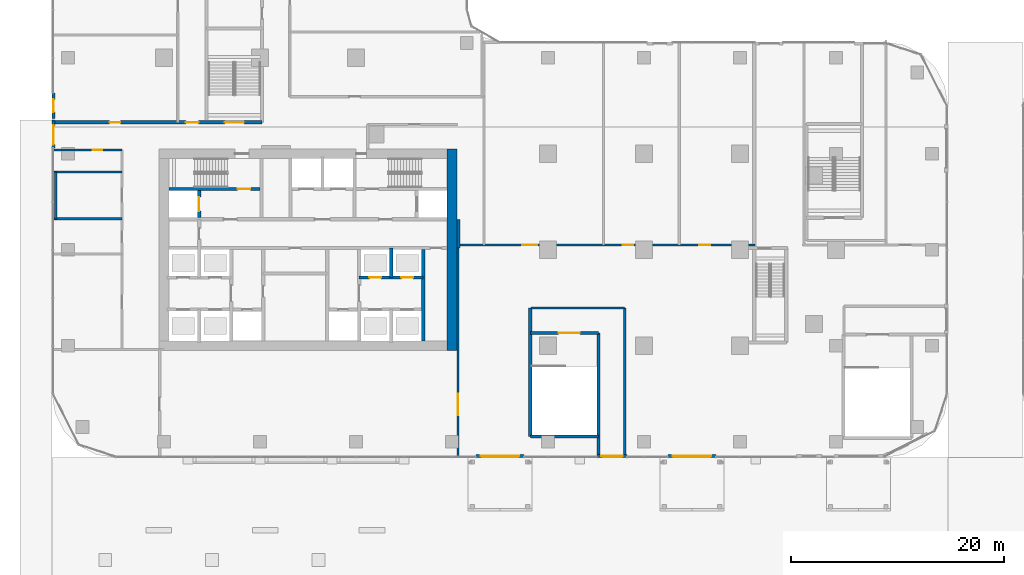
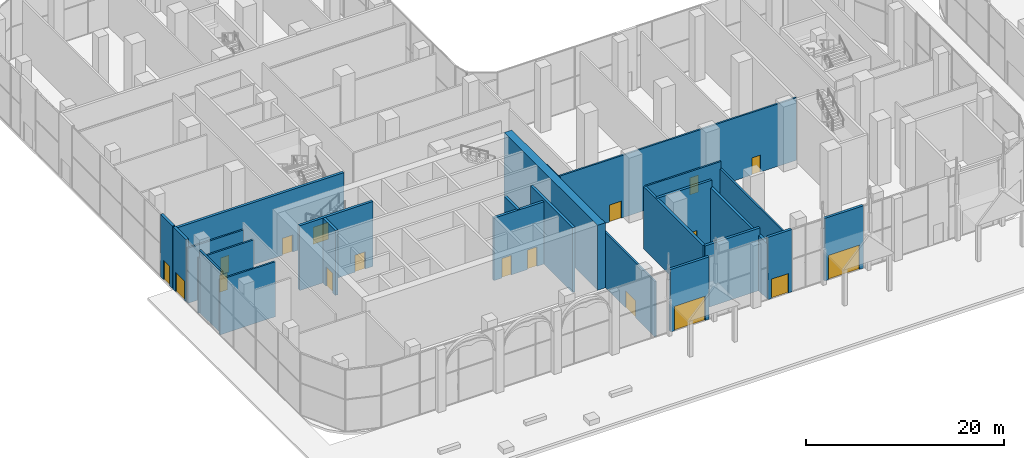
# One storey, part 30 of 54: 25 walls, 18 doors, 18 openings.
"""IFC4 building model written with IfcOpenShell, lengths in metres."""

from ifc_helpers import new_model, si_unit, direction, frame, frame_2d, origin, place, context, subcontext, project, spatial, rectangle, extrude, material, layer, layer_set, type_object, element, fill, save


model = new_model("IFC4")

# Units and contexts
model_context = context("Model", 3, precision=1e-05, world=origin(), true_north=direction((0.0, 1.0)))
body_context = subcontext(model_context, "Body", "Model", "MODEL_VIEW")
ifc_project = project(units=[si_unit("LENGTHUNIT", "METRE"), si_unit("AREAUNIT", "SQUARE_METRE"), si_unit("VOLUMEUNIT", "CUBIC_METRE"), si_unit("PLANEANGLEUNIT", "RADIAN"), si_unit("MASSUNIT", "GRAM", prefix="KILO")], contexts=[model_context])

# Site, building, storey
site_placement = place(None, origin())
site = spatial("IfcSite", under=ifc_project, at=site_placement, CompositionType="ELEMENT")
building_placement = place(site_placement, origin())
building = spatial("IfcBuilding", under=site, at=building_placement, Name="Ogive Portal Towers", CompositionType="ELEMENT")
storey_placement = place(building_placement, origin())
storey = spatial("IfcBuildingStorey", under=building, at=storey_placement, Name="L00", CompositionType="ELEMENT", Elevation=0.0)

# Wall
ifc_material_1 = material(Name="Concrete C60/75", Category="concrete")
ifc_layer_1 = layer(ifc_material_1, 0.300048828125)
ifc_layer_set_1 = layer_set([ifc_layer_1], Name="CORE WALL 300 C60")
wall_type_1 = type_object("IfcWallType", Name="CORE WALL 300 C60", PredefinedType="SHEAR", material=ifc_layer_set_1)
wall_1_placement = place(storey_placement, frame((55.800048828125, 21.949951171875, 0.0), z_axis=(0.0, 0.0, 1.0), x_axis=(0.0, 1.0, 0.0)))
element("IfcWall", 1, at=wall_1_placement, inside=storey, type_object=wall_type_1, Name="Core wall X5 L00", PredefinedType="SHEAR", context=body_context, shape_type="SweptSolid", body=[
    extrude(rectangle(XDim=8.550048828125, YDim=0.300048828125, at=frame_2d((4.27490234375, 0.0))), origin(), (0.0, 0.0, 1.0), 8.0),
])

# Wall, opening, door
wall_2_placement = place(storey_placement, frame((31.949951171875, 36.199951171875, 0.0), z_axis=(0.0, 0.0, 1.0), x_axis=(1.0, 0.0, 0.0)))
wall_2 = element("IfcWall", 2, at=wall_2_placement, inside=storey, type_object=wall_type_1, Name="Core wall Y3a L00", PredefinedType="SHEAR", context=body_context, shape_type="SweptSolid", body=[
    extrude(rectangle(XDim=8.550048828125, YDim=0.300048828125, at=frame_2d((4.27490234375, 0.0))), origin(), (0.0, 0.0, 1.0), 8.0),
])
opening_1_placement = place(wall_2_placement, frame((6.449951171875, 0.0, 0.0)))
opening_1 = element("IfcOpeningElement", 3, at=opening_1_placement, cuts=wall_2, Name="Opening D102-006", PredefinedType="OPENING", context=body_context, shape_type="SweptSolid", body=[
    extrude(rectangle(XDim=1.199951171875, YDim=2.10009765625, at=frame_2d((0.60009765625, 1.050048828125))), frame((0.0, 0.16015625, 0.0), z_axis=(0.0, -1.0, 0.0), x_axis=(1.0, 0.0, 0.0)), (0.0, 0.0, 1.0), 0.320068359375),
])
ifc_material_2 = material(Name="Steel fire door", Category="steel")
door_type_1 = type_object("IfcDoorType", Name="DT-SWING-1200x2100-FD90S", OperationType="SINGLE_SWING_LEFT", PredefinedType="DOOR", material=ifc_material_2)
door_1_placement = place(opening_1_placement, origin())
door_1 = element("IfcDoor", 4, at=door_1_placement, inside=storey, type_object=door_type_1, Name="Door D102-006", OperationType="SINGLE_SWING_RIGHT", OverallHeight=2.10009765625, OverallWidth=1.199951171875, PredefinedType="DOOR", context=body_context, shape_type="SweptSolid", body=[
    extrude(rectangle(XDim=1.199951171875, YDim=2.10009765625, at=frame_2d((0.60009765625, 1.050048828125))), frame((0.0, 0.02490234375, 0.0), z_axis=(0.0, -1.0, 0.0), x_axis=(1.0, 0.0, 0.0)), (0.0, 0.0, 1.0), 0.050048828125),
])
fill(opening_1, door_1)

wall_3_placement = place(storey_placement, frame((34.800048828125, 33.5, 0.0), z_axis=(0.0, 0.0, 1.0), x_axis=(0.0, 1.0, 0.0)))
wall_3 = element("IfcWall", 5, at=wall_3_placement, inside=storey, type_object=wall_type_1, Name="Core wall X8 L00", PredefinedType="SHEAR", context=body_context, shape_type="SweptSolid", body=[
    extrude(rectangle(XDim=2.550048828125, YDim=0.300048828125, at=frame_2d((1.27490234375, 0.0))), origin(), (0.0, 0.0, 1.0), 8.0),
])
opening_2_placement = place(wall_3_placement, frame((0.625, 0.0, 0.0)))
opening_2 = element("IfcOpeningElement", 6, at=opening_2_placement, cuts=wall_3, Name="Opening D102-023", PredefinedType="OPENING", context=body_context, shape_type="SweptSolid", body=[
    extrude(rectangle(XDim=1.300048828125, YDim=2.39990234375, at=frame_2d((0.64990234375, 1.199951171875))), frame((0.0, 0.16015625, 0.0), z_axis=(0.0, -1.0, 0.0), x_axis=(1.0, 0.0, 0.0)), (0.0, 0.0, 1.0), 0.320068359375),
])
ifc_material_3 = material(Name="Stainless steel", Category="steel")
door_type_2 = type_object("IfcDoorType", Name="DT-LD-1300x2400", OperationType="SLIDING_TO_LEFT", PredefinedType="DOOR", material=ifc_material_3)
door_2_placement = place(opening_2_placement, origin())
door_2 = element("IfcDoor", 7, at=door_2_placement, inside=storey, type_object=door_type_2, Name="Door D102-023", OperationType="SLIDING_TO_LEFT", OverallHeight=2.39990234375, OverallWidth=1.300048828125, PredefinedType="DOOR", context=body_context, shape_type="SweptSolid", body=[
    extrude(rectangle(XDim=1.300048828125, YDim=2.39990234375, at=frame_2d((0.64990234375, 1.199951171875))), frame((0.0, 0.02490234375, 0.0), z_axis=(0.0, -1.0, 0.0), x_axis=(1.0, 0.0, 0.0)), (0.0, 0.0, 1.0), 0.050048828125),
])
fill(opening_2, door_2)

# Wall
ifc_layer_2 = layer(ifc_material_1, 0.89990234375)
ifc_layer_set_2 = layer_set([ifc_layer_2], Name="CORE WALL 900 C60")
wall_type_2 = type_object("IfcWallType", Name="CORE WALL 900 C60", PredefinedType="SHEAR", material=ifc_layer_set_2)
wall_4_placement = place(storey_placement, frame((58.5, 21.050048828125, 0.0), z_axis=(0.0, 0.0, 1.0), x_axis=(0.0, 1.0, 0.0)))
element("IfcWall", 8, at=wall_4_placement, inside=storey, type_object=wall_type_2, Name="Core wall E L00", PredefinedType="SHEAR", context=body_context, shape_type="SweptSolid", body=[
    extrude(rectangle(XDim=18.89990234375, YDim=0.89990234375, at=frame_2d((9.449951171875, 0.0))), origin(), (0.0, 0.0, 1.0), 8.0),
])

# Wall, opening, door
ifc_material_4 = material(Name="Limestone cladding on lightweight block wall", Category="masonry")
ifc_layer_3 = layer(ifc_material_4, 0.300048828125)
ifc_layer_set_3 = layer_set([ifc_layer_3], Name="EXTERNAL WALL 300 STONE")
wall_type_3 = type_object("IfcWallType", Name="EXTERNAL WALL 300 STONE", PredefinedType="SOLIDWALL", material=ifc_layer_set_3)
wall_5_placement = place(storey_placement, frame((65.25, 11.14990234375, 0.0), z_axis=(0.0, 0.0, 1.0), x_axis=(-1.0, 0.0, 0.0)))
wall_5 = element("IfcWall", 9, at=wall_5_placement, inside=storey, type_object=wall_type_3, Name="A:L00:f02:bay0", PredefinedType="SOLIDWALL", context=body_context, shape_type="SweptSolid", body=[
    extrude(rectangle(XDim=4.5, YDim=0.300048828125, at=frame_2d((2.25, 0.0))), origin(), (0.0, 0.0, 1.0), 7.699951171875),
])
opening_3_placement = place(wall_5_placement, frame((0.449951171875, 0.0, 0.0)))
opening_3 = element("IfcOpeningElement", 10, at=opening_3_placement, cuts=wall_5, Name="Opening DX001", PredefinedType="OPENING", context=body_context, shape_type="SweptSolid", body=[
    extrude(rectangle(XDim=3.60009765625, YDim=3.0, at=frame_2d((1.800048828125, 1.5))), frame((0.0, 0.16015625, 0.0), z_axis=(0.0, -1.0, 0.0), x_axis=(1.0, 0.0, 0.0)), (0.0, 0.0, 1.0), 0.320068359375),
])
ifc_material_5 = material(Name="Aluminium 6063 anodised", Category="aluminium")
door_type_3 = type_object("IfcDoorType", Name="ENTRANCE DOOR 3600x3000", OperationType="DOUBLE_DOOR_SINGLE_SWING", PredefinedType="DOOR", material=ifc_material_5)
door_3_placement = place(opening_3_placement, origin())
door_3 = element("IfcDoor", 11, at=door_3_placement, inside=storey, type_object=door_type_3, Name="A:L00:f02:bay0/o0", OperationType="SINGLE_SWING_LEFT", OverallHeight=3.0, OverallWidth=3.60009765625, PredefinedType="DOOR", context=body_context, shape_type="SweptSolid", body=[
    extrude(rectangle(XDim=3.60009765625, YDim=3.0, at=frame_2d((1.800048828125, 1.5))), frame((0.0, 0.02490234375, 0.0), z_axis=(0.0, -1.0, 0.0), x_axis=(1.0, 0.0, 0.0)), (0.0, 0.0, 1.0), 0.050048828125),
])
fill(opening_3, door_3)

wall_6_placement = place(storey_placement, frame((74.89990234375, 11.14990234375, 0.0), z_axis=(0.0, 0.0, 1.0), x_axis=(-1.0, 0.0, 0.0)))
wall_6 = element("IfcWall", 12, at=wall_6_placement, inside=storey, type_object=wall_type_3, Name="A:L00:f02:bay1", PredefinedType="SOLIDWALL", context=body_context, shape_type="SweptSolid", body=[
    extrude(rectangle(XDim=2.7998046875, YDim=0.300048828125, at=frame_2d((1.39990234375, 0.0))), origin(), (0.0, 0.0, 1.0), 7.699951171875),
])
opening_4_placement = place(wall_6_placement, frame((0.39990234375, 0.0, 0.0)))
opening_4 = element("IfcOpeningElement", 13, at=opening_4_placement, cuts=wall_6, Name="Opening DX002", PredefinedType="OPENING", context=body_context, shape_type="SweptSolid", body=[
    extrude(rectangle(XDim=2.0, YDim=2.39990234375, at=frame_2d((1.0, 1.199951171875))), frame((0.0, 0.16015625, 0.0), z_axis=(0.0, -1.0, 0.0), x_axis=(1.0, 0.0, 0.0)), (0.0, 0.0, 1.0), 0.320068359375),
])
ifc_material_6 = material(Name="Steel S355", Category="steel")
door_type_4 = type_object("IfcDoorType", Name="EXIT DOOR 2000x2400", OperationType="DOUBLE_DOOR_SINGLE_SWING", PredefinedType="DOOR", material=ifc_material_6)
door_4_placement = place(opening_4_placement, origin())
door_4 = element("IfcDoor", 14, at=door_4_placement, inside=storey, type_object=door_type_4, Name="A:L00:f02:bay1/o0", OperationType="SINGLE_SWING_LEFT", OverallHeight=2.39990234375, OverallWidth=2.0, PredefinedType="DOOR", context=body_context, shape_type="SweptSolid", body=[
    extrude(rectangle(XDim=2.0, YDim=2.39990234375, at=frame_2d((1.0, 1.199951171875))), frame((0.0, 0.02490234375, 0.0), z_axis=(0.0, -1.0, 0.0), x_axis=(1.0, 0.0, 0.0)), (0.0, 0.0, 1.0), 0.050048828125),
])
fill(opening_4, door_4)

wall_7_placement = place(storey_placement, frame((83.25, 11.14990234375, 0.0), z_axis=(0.0, 0.0, 1.0), x_axis=(-1.0, 0.0, 0.0)))
wall_7 = element("IfcWall", 15, at=wall_7_placement, inside=storey, type_object=wall_type_3, Name="A:L00:f02:bay2", PredefinedType="SOLIDWALL", context=body_context, shape_type="SweptSolid", body=[
    extrude(rectangle(XDim=4.5, YDim=0.300048828125, at=frame_2d((2.25, 0.0))), origin(), (0.0, 0.0, 1.0), 7.699951171875),
])
opening_5_placement = place(wall_7_placement, frame((0.449951171875, 0.0, 0.0)))
opening_5 = element("IfcOpeningElement", 16, at=opening_5_placement, cuts=wall_7, Name="Opening DX003", PredefinedType="OPENING", context=body_context, shape_type="SweptSolid", body=[
    extrude(rectangle(XDim=3.60009765625, YDim=3.0, at=frame_2d((1.800048828125, 1.5))), frame((0.0, 0.16015625, 0.0), z_axis=(0.0, -1.0, 0.0), x_axis=(1.0, 0.0, 0.0)), (0.0, 0.0, 1.0), 0.320068359375),
])
door_5_placement = place(opening_5_placement, origin())
door_5 = element("IfcDoor", 17, at=door_5_placement, inside=storey, type_object=door_type_3, Name="A:L00:f02:bay2/o0", OperationType="SINGLE_SWING_LEFT", OverallHeight=3.0, OverallWidth=3.60009765625, PredefinedType="DOOR", context=body_context, shape_type="SweptSolid", body=[
    extrude(rectangle(XDim=3.60009765625, YDim=3.0, at=frame_2d((1.800048828125, 1.5))), frame((0.0, 0.02490234375, 0.0), z_axis=(0.0, -1.0, 0.0), x_axis=(1.0, 0.0, 0.0)), (0.0, 0.0, 1.0), 0.050048828125),
])
fill(opening_5, door_5)

wall_8_placement = place(storey_placement, frame((21.14990234375, 42.800048828125, 0.0), z_axis=(0.0, 0.0, 1.0), x_axis=(0.0, 1.0, 0.0)))
wall_8 = element("IfcWall", 18, at=wall_8_placement, inside=storey, type_object=wall_type_3, Name="A:L00:f17:bay2", PredefinedType="SOLIDWALL", context=body_context, shape_type="SweptSolid", body=[
    extrude(rectangle(XDim=2.39990234375, YDim=0.300048828125, at=frame_2d((1.199951171875, 0.0))), origin(), (0.0, 0.0, 1.0), 7.699951171875),
])
opening_6_placement = place(wall_8_placement, frame((0.60009765625, 0.0, 0.0)))
opening_6 = element("IfcOpeningElement", 19, at=opening_6_placement, cuts=wall_8, Name="Opening DX015", PredefinedType="OPENING", context=body_context, shape_type="SweptSolid", body=[
    extrude(rectangle(XDim=1.199951171875, YDim=2.39990234375, at=frame_2d((0.60009765625, 1.199951171875))), frame((0.0, 0.16015625, 0.0), z_axis=(0.0, -1.0, 0.0), x_axis=(1.0, 0.0, 0.0)), (0.0, 0.0, 1.0), 0.320068359375),
])
door_type_5 = type_object("IfcDoorType", Name="EXIT DOOR 1200x2400", OperationType="SINGLE_SWING_LEFT", PredefinedType="DOOR", material=ifc_material_6)
door_6_placement = place(opening_6_placement, origin())
door_6 = element("IfcDoor", 20, at=door_6_placement, inside=storey, type_object=door_type_5, Name="A:L00:f17:bay2/o0", OperationType="SINGLE_SWING_LEFT", OverallHeight=2.39990234375, OverallWidth=1.199951171875, PredefinedType="DOOR", context=body_context, shape_type="SweptSolid", body=[
    extrude(rectangle(XDim=1.199951171875, YDim=2.39990234375, at=frame_2d((0.60009765625, 1.199951171875))), frame((0.0, 0.02490234375, 0.0), z_axis=(0.0, -1.0, 0.0), x_axis=(1.0, 0.0, 0.0)), (0.0, 0.0, 1.0), 0.050048828125),
])
fill(opening_6, door_6)

wall_9_placement = place(storey_placement, frame((21.14990234375, 40.050048828125, 0.0), z_axis=(0.0, 0.0, 1.0), x_axis=(0.0, 1.0, 0.0)))
wall_9 = element("IfcWall", 21, at=wall_9_placement, inside=storey, type_object=wall_type_3, Name="A:L00:f17:bay3", PredefinedType="SOLIDWALL", context=body_context, shape_type="SweptSolid", body=[
    extrude(rectangle(XDim=2.599853515625, YDim=0.300048828125, at=frame_2d((1.2998046875, 0.0))), origin(), (0.0, 0.0, 1.0), 7.699951171875),
])
opening_7_placement = place(wall_9_placement, frame((0.300048828125, 0.0, 0.0)))
opening_7 = element("IfcOpeningElement", 22, at=opening_7_placement, cuts=wall_9, Name="Opening DX016", PredefinedType="OPENING", context=body_context, shape_type="SweptSolid", body=[
    extrude(rectangle(XDim=1.800048828125, YDim=2.39990234375, at=frame_2d((0.89990234375, 1.199951171875))), frame((0.0, 0.16015625, 0.0), z_axis=(0.0, -1.0, 0.0), x_axis=(1.0, 0.0, 0.0)), (0.0, 0.0, 1.0), 0.320068359375),
])
door_type_6 = type_object("IfcDoorType", Name="EXIT DOOR 1800x2400", OperationType="DOUBLE_DOOR_SINGLE_SWING", PredefinedType="DOOR", material=ifc_material_6)
door_7_placement = place(opening_7_placement, origin())
door_7 = element("IfcDoor", 23, at=door_7_placement, inside=storey, type_object=door_type_6, Name="A:L00:f17:bay3/o0", OperationType="SINGLE_SWING_LEFT", OverallHeight=2.39990234375, OverallWidth=1.800048828125, PredefinedType="DOOR", context=body_context, shape_type="SweptSolid", body=[
    extrude(rectangle(XDim=1.800048828125, YDim=2.39990234375, at=frame_2d((0.89990234375, 1.199951171875))), frame((0.0, 0.02490234375, 0.0), z_axis=(0.0, -1.0, 0.0), x_axis=(1.0, 0.0, 0.0)), (0.0, 0.0, 1.0), 0.050048828125),
])
fill(opening_7, door_7)

# Wall, openings, doors
ifc_material_7 = material(Name="Concrete C50/60", Category="concrete")
ifc_layer_4 = layer(ifc_material_7, 0.300048828125)
ifc_layer_set_4 = layer_set([ifc_layer_4], Name="STAIR WALL 300 C50")
wall_type_4 = type_object("IfcWallType", Name="STAIR WALL 300 C50", PredefinedType="SHEAR", material=ifc_layer_set_4)
wall_10_placement = place(storey_placement, frame((21.070068359375, 42.449951171875, 0.0), z_axis=(0.0, 0.0, 1.0), x_axis=(1.0, 0.0, 0.0)))
wall_10 = element("IfcWall", 24, at=wall_10_placement, inside=storey, type_object=wall_type_4, Name="Stair wall ST-P2 L00", PredefinedType="SHEAR", context=body_context, shape_type="SweptSolid", body=[
    extrude(rectangle(XDim=19.6298828125, YDim=0.300048828125, at=frame_2d((9.81494140625, 0.0))), origin(), (0.0, 0.0, 1.0), 7.699951171875),
])
opening_8_placement = place(wall_10_placement, frame((16.1298828125, 0.0, 0.0)))
opening_8 = element("IfcOpeningElement", 25, at=opening_8_placement, cuts=wall_10, Name="Opening P00-004", PredefinedType="OPENING", context=body_context, shape_type="SweptSolid", body=[
    extrude(rectangle(XDim=1.800048828125, YDim=2.10009765625, at=frame_2d((0.89990234375, 1.050048828125))), frame((0.0, 0.16015625, 0.0), z_axis=(0.0, -1.0, 0.0), x_axis=(1.0, 0.0, 0.0)), (0.0, 0.0, 1.0), 0.320068359375),
])
opening_9_placement = place(wall_10_placement, frame((12.47998046875, 0.0, 0.0)))
opening_9 = element("IfcOpeningElement", 26, at=opening_9_placement, cuts=wall_10, Name="Opening P00-005", PredefinedType="OPENING", context=body_context, shape_type="SweptSolid", body=[
    extrude(rectangle(XDim=1.199951171875, YDim=2.10009765625, at=frame_2d((0.60009765625, 1.050048828125))), frame((0.0, 0.16015625, 0.0), z_axis=(0.0, -1.0, 0.0), x_axis=(1.0, 0.0, 0.0)), (0.0, 0.0, 1.0), 0.320068359375),
])
opening_10_placement = place(wall_10_placement, frame((5.330078125, 0.0, 0.0)))
opening_10 = element("IfcOpeningElement", 27, at=opening_10_placement, cuts=wall_10, Name="Opening P00-019", PredefinedType="OPENING", context=body_context, shape_type="SweptSolid", body=[
    extrude(rectangle(XDim=1.0, YDim=2.10009765625, at=frame_2d((0.5, 1.050048828125))), frame((0.0, 0.16015625, 0.0), z_axis=(0.0, -1.0, 0.0), x_axis=(1.0, 0.0, 0.0)), (0.0, 0.0, 1.0), 0.320068359375),
])
door_type_7 = type_object("IfcDoorType", Name="DT-SWING-1000x2100-FD90S", OperationType="SINGLE_SWING_LEFT", PredefinedType="DOOR", material=ifc_material_2)
door_8_placement = place(opening_10_placement, origin())
door_8 = element("IfcDoor", 28, at=door_8_placement, inside=storey, type_object=door_type_7, Name="Door P00-019", OperationType="SINGLE_SWING_LEFT", OverallHeight=2.10009765625, OverallWidth=1.0, PredefinedType="DOOR", context=body_context, shape_type="SweptSolid", body=[
    extrude(rectangle(XDim=1.0, YDim=2.10009765625, at=frame_2d((0.5, 1.050048828125))), frame((0.0, 0.02490234375, 0.0), z_axis=(0.0, -1.0, 0.0), x_axis=(1.0, 0.0, 0.0)), (0.0, 0.0, 1.0), 0.050048828125),
])
fill(opening_10, door_8)
door_9_placement = place(opening_9_placement, origin())
door_9 = element("IfcDoor", 29, at=door_9_placement, inside=storey, type_object=door_type_1, Name="Door P00-005", OperationType="SINGLE_SWING_LEFT", OverallHeight=2.10009765625, OverallWidth=1.199951171875, PredefinedType="DOOR", context=body_context, shape_type="SweptSolid", body=[
    extrude(rectangle(XDim=1.199951171875, YDim=2.10009765625, at=frame_2d((0.60009765625, 1.050048828125))), frame((0.0, 0.02490234375, 0.0), z_axis=(0.0, -1.0, 0.0), x_axis=(1.0, 0.0, 0.0)), (0.0, 0.0, 1.0), 0.050048828125),
])
fill(opening_9, door_9)
door_type_8 = type_object("IfcDoorType", Name="DT-SWING-1800x2100-FD90S", OperationType="SINGLE_SWING_LEFT", PredefinedType="DOOR", material=ifc_material_2)
door_10_placement = place(opening_8_placement, origin())
door_10 = element("IfcDoor", 30, at=door_10_placement, inside=storey, type_object=door_type_8, Name="Door P00-004", OperationType="SINGLE_SWING_RIGHT", OverallHeight=2.10009765625, OverallWidth=1.800048828125, PredefinedType="DOOR", context=body_context, shape_type="SweptSolid", body=[
    extrude(rectangle(XDim=1.800048828125, YDim=2.10009765625, at=frame_2d((0.89990234375, 1.050048828125))), frame((0.0, 0.02490234375, 0.0), z_axis=(0.0, -1.0, 0.0), x_axis=(1.0, 0.0, 0.0)), (0.0, 0.0, 1.0), 0.050048828125),
])
fill(opening_8, door_10)

# Walls
ifc_material_8 = material(Name="Gypsum board partition on steel studs", Category="steel")
ifc_layer_5 = layer(ifc_material_8, 0.199951171875)
ifc_layer_set_5 = layer_set([ifc_layer_5], Name="WT-PART-200-EI 120")
wall_type_5 = type_object("IfcWallType", Name="WT-PART-200-EI 120", PredefinedType="PARTITIONING", material=ifc_layer_set_5)
wall_11_placement = place(storey_placement, frame((65.89990234375, 25.050048828125, 0.0), z_axis=(0.0, 0.0, 1.0), x_axis=(1.0, 0.0, 0.0)))
element("IfcWall", 31, at=wall_11_placement, inside=storey, type_object=wall_type_5, Name="Wall L00:w012", PredefinedType="PARTITIONING", context=body_context, shape_type="SweptSolid", body=[
    extrude(rectangle(XDim=8.800048828125, YDim=0.199951171875, at=frame_2d((4.39990234375, 0.0))), origin(), (0.0, 0.0, 1.0), 7.699951171875),
])
for number, where, z_axis, x_axis, name in (
    (32, (21.070068359375, 33.39990234375, 0.0), (0.0, 0.0, 1.0), (1.0, 0.0, 0.0), "Wall L00:w021"),
    (33, (21.070068359375, 37.800048828125, 0.0), (0.0, 0.0, 1.0), (1.0, 0.0, 0.0), "Wall L00:w025"),
):
    element("IfcWall", number, at=place(storey_placement, frame(where, z_axis=z_axis, x_axis=x_axis)), inside=storey, type_object=wall_type_5, Name=name, PredefinedType="PARTITIONING", context=body_context, shape_type="SweptSolid", body=[
        extrude(rectangle(XDim=6.47998046875, YDim=0.199951171875, at=frame_2d((3.239990234375, 0.0))), origin(), (0.0, 0.0, 1.0), 6.800048828125),
    ])
wall_12_placement = place(storey_placement, frame((21.35009765625, 33.39990234375, 0.0), z_axis=(0.0, 0.0, 1.0), x_axis=(0.0, 1.0, 0.0)))
element("IfcWall", 34, at=wall_12_placement, inside=storey, type_object=wall_type_5, Name="Wall L00:w072", PredefinedType="PARTITIONING", context=body_context, shape_type="SweptSolid", body=[
    extrude(rectangle(XDim=4.400146484375, YDim=0.199951171875, at=frame_2d((2.2001953125, 0.0))), origin(), (0.0, 0.0, 1.0), 7.699951171875),
])
wall_13_placement = place(storey_placement, frame((74.699951171875, 11.070068359375, 0.0), z_axis=(0.0, 0.0, 1.0), x_axis=(0.0, 1.0, 0.0)))
element("IfcWall", 35, at=wall_13_placement, inside=storey, type_object=wall_type_5, Name="Wall L00:w095", PredefinedType="PARTITIONING", context=body_context, shape_type="SweptSolid", body=[
    extrude(rectangle(XDim=13.97998046875, YDim=0.199951171875, at=frame_2d((6.989990234375, 0.0))), origin(), (0.0, 0.0, 1.0), 6.800048828125),
])

# Wall, openings, doors
ifc_layer_6 = layer(ifc_material_8, 0.199951171875)
ifc_layer_set_6 = layer_set([ifc_layer_6], Name="WT-PART-200-EI 60")
wall_type_6 = type_object("IfcWallType", Name="WT-PART-200-EI 60", PredefinedType="PARTITIONING", material=ifc_layer_set_6)
wall_14_placement = place(storey_placement, frame((58.969970703125, 30.949951171875, 0.0), z_axis=(0.0, 0.0, 1.0), x_axis=(1.0, 0.0, 0.0)))
wall_14 = element("IfcWall", 36, at=wall_14_placement, inside=storey, type_object=wall_type_6, Name="Wall L00:w017", PredefinedType="PARTITIONING", context=body_context, shape_type="SweptSolid", body=[
    extrude(rectangle(XDim=27.929931640625, YDim=0.199951171875, at=frame_2d((13.96484375, 0.0))), origin(), (0.0, 0.0, 1.0), 7.699951171875),
])
opening_11_placement = place(wall_14_placement, frame((6.1298828125, 0.0, 0.0)))
opening_11 = element("IfcOpeningElement", 37, at=opening_11_placement, cuts=wall_14, Name="Opening P00-011", PredefinedType="OPENING", context=body_context, shape_type="SweptSolid", body=[
    extrude(rectangle(XDim=1.39990234375, YDim=2.10009765625, at=frame_2d((0.699951171875, 1.050048828125))), frame((0.0, 0.10986328125, 0.0), z_axis=(0.0, -1.0, 0.0), x_axis=(1.0, 0.0, 0.0)), (0.0, 0.0, 1.0), 0.219970703125),
])
opening_12_placement = place(wall_14_placement, frame((15.530029296875, 0.0, 0.0)))
opening_12 = element("IfcOpeningElement", 38, at=opening_12_placement, cuts=wall_14, Name="Opening P00-012", PredefinedType="OPENING", context=body_context, shape_type="SweptSolid", body=[
    extrude(rectangle(XDim=1.0, YDim=2.10009765625, at=frame_2d((0.5, 1.050048828125))), frame((0.0, 0.10986328125, 0.0), z_axis=(0.0, -1.0, 0.0), x_axis=(1.0, 0.0, 0.0)), (0.0, 0.0, 1.0), 0.219970703125),
])
opening_13_placement = place(wall_14_placement, frame((22.72998046875, 0.0, 0.0)))
opening_13 = element("IfcOpeningElement", 39, at=opening_13_placement, cuts=wall_14, Name="Opening P00-013", PredefinedType="OPENING", context=body_context, shape_type="SweptSolid", body=[
    extrude(rectangle(XDim=1.0, YDim=2.10009765625, at=frame_2d((0.5, 1.050048828125))), frame((0.0, 0.10986328125, 0.0), z_axis=(0.0, -1.0, 0.0), x_axis=(1.0, 0.0, 0.0)), (0.0, 0.0, 1.0), 0.219970703125),
])
door_type_9 = type_object("IfcDoorType", Name="DT-SWING-1000x2100-FD60S", OperationType="SINGLE_SWING_LEFT", PredefinedType="DOOR", material=ifc_material_2)
door_11_placement = place(opening_12_placement, origin())
door_11 = element("IfcDoor", 40, at=door_11_placement, inside=storey, type_object=door_type_9, Name="Door P00-012", OperationType="SINGLE_SWING_RIGHT", OverallHeight=2.10009765625, OverallWidth=1.0, PredefinedType="DOOR", context=body_context, shape_type="SweptSolid", body=[
    extrude(rectangle(XDim=1.0, YDim=2.10009765625, at=frame_2d((0.5, 1.050048828125))), frame((0.0, 0.02490234375, 0.0), z_axis=(0.0, -1.0, 0.0), x_axis=(1.0, 0.0, 0.0)), (0.0, 0.0, 1.0), 0.050048828125),
])
fill(opening_12, door_11)
door_12_placement = place(opening_13_placement, origin())
door_12 = element("IfcDoor", 41, at=door_12_placement, inside=storey, type_object=door_type_9, Name="Door P00-013", OperationType="SINGLE_SWING_LEFT", OverallHeight=2.10009765625, OverallWidth=1.0, PredefinedType="DOOR", context=body_context, shape_type="SweptSolid", body=[
    extrude(rectangle(XDim=1.0, YDim=2.10009765625, at=frame_2d((0.5, 1.050048828125))), frame((0.0, 0.02490234375, 0.0), z_axis=(0.0, -1.0, 0.0), x_axis=(1.0, 0.0, 0.0)), (0.0, 0.0, 1.0), 0.050048828125),
])
fill(opening_13, door_12)
door_type_10 = type_object("IfcDoorType", Name="DT-SWING-1400x2100-FD60S", OperationType="SINGLE_SWING_LEFT", PredefinedType="DOOR", material=ifc_material_2)
door_13_placement = place(opening_11_placement, origin())
door_13 = element("IfcDoor", 42, at=door_13_placement, inside=storey, type_object=door_type_10, Name="Door P00-011", OperationType="SINGLE_SWING_LEFT", OverallHeight=2.10009765625, OverallWidth=1.39990234375, PredefinedType="DOOR", context=body_context, shape_type="SweptSolid", body=[
    extrude(rectangle(XDim=1.39990234375, YDim=2.10009765625, at=frame_2d((0.699951171875, 1.050048828125))), frame((0.0, 0.02490234375, 0.0), z_axis=(0.0, -1.0, 0.0), x_axis=(1.0, 0.0, 0.0)), (0.0, 0.0, 1.0), 0.050048828125),
])
fill(opening_11, door_13)

# Wall, opening, door
wall_15_placement = place(storey_placement, frame((21.070068359375, 39.85009765625, 0.0), z_axis=(0.0, 0.0, 1.0), x_axis=(1.0, 0.0, 0.0)))
wall_15 = element("IfcWall", 43, at=wall_15_placement, inside=storey, type_object=wall_type_6, Name="Wall L00:w028", PredefinedType="PARTITIONING", context=body_context, shape_type="SweptSolid", body=[
    extrude(rectangle(XDim=6.47998046875, YDim=0.199951171875, at=frame_2d((3.239990234375, 0.0))), origin(), (0.0, 0.0, 1.0), 6.800048828125),
])
opening_14_placement = place(wall_15_placement, frame((3.72998046875, 0.0, 0.0)))
opening_14 = element("IfcOpeningElement", 44, at=opening_14_placement, cuts=wall_15, Name="Opening P00-018", PredefinedType="OPENING", context=body_context, shape_type="SweptSolid", body=[
    extrude(rectangle(XDim=0.89990234375, YDim=2.10009765625, at=frame_2d((0.449951171875, 1.050048828125))), frame((0.0, 0.10986328125, 0.0), z_axis=(0.0, -1.0, 0.0), x_axis=(1.0, 0.0, 0.0)), (0.0, 0.0, 1.0), 0.219970703125),
])
door_type_11 = type_object("IfcDoorType", Name="DT-SWING-900x2100-FD60S", OperationType="SINGLE_SWING_LEFT", PredefinedType="DOOR", material=ifc_material_2)
door_14_placement = place(opening_14_placement, origin())
door_14 = element("IfcDoor", 45, at=door_14_placement, inside=storey, type_object=door_type_11, Name="Door P00-018", OperationType="SINGLE_SWING_RIGHT", OverallHeight=2.10009765625, OverallWidth=0.89990234375, PredefinedType="DOOR", context=body_context, shape_type="SweptSolid", body=[
    extrude(rectangle(XDim=0.89990234375, YDim=2.10009765625, at=frame_2d((0.449951171875, 1.050048828125))), frame((0.0, 0.02490234375, 0.0), z_axis=(0.0, -1.0, 0.0), x_axis=(1.0, 0.0, 0.0)), (0.0, 0.0, 1.0), 0.050048828125),
])
fill(opening_14, door_14)

wall_16_placement = place(storey_placement, frame((59.050048828125, 11.070068359375, 0.0), z_axis=(0.0, 0.0, 1.0), x_axis=(0.0, 1.0, 0.0)))
wall_16 = element("IfcWall", 46, at=wall_16_placement, inside=storey, type_object=wall_type_6, Name="Wall L00:w089", PredefinedType="PARTITIONING", context=body_context, shape_type="SweptSolid", body=[
    extrude(rectangle(XDim=19.8798828125, YDim=0.199951171875, at=frame_2d((9.93994140625, 0.0))), origin(), (0.0, 0.0, 1.0), 6.800048828125),
])
opening_15_placement = place(wall_16_placement, frame((3.929931640625, 0.0, 0.0)))
opening_15 = element("IfcOpeningElement", 47, at=opening_15_placement, cuts=wall_16, Name="Opening P00-010", PredefinedType="OPENING", context=body_context, shape_type="SweptSolid", body=[
    extrude(rectangle(XDim=2.0, YDim=2.10009765625, at=frame_2d((1.0, 1.050048828125))), frame((0.0, 0.10986328125, 0.0), z_axis=(0.0, -1.0, 0.0), x_axis=(1.0, 0.0, 0.0)), (0.0, 0.0, 1.0), 0.219970703125),
])
door_type_12 = type_object("IfcDoorType", Name="DT-SWING-2000x2100-FD60S", OperationType="SINGLE_SWING_LEFT", PredefinedType="DOOR", material=ifc_material_2)
door_15_placement = place(opening_15_placement, origin())
door_15 = element("IfcDoor", 48, at=door_15_placement, inside=storey, type_object=door_type_12, Name="Door P00-010", OperationType="SINGLE_SWING_RIGHT", OverallHeight=2.10009765625, OverallWidth=2.0, PredefinedType="DOOR", context=body_context, shape_type="SweptSolid", body=[
    extrude(rectangle(XDim=2.0, YDim=2.10009765625, at=frame_2d((1.0, 1.050048828125))), frame((0.0, 0.02490234375, 0.0), z_axis=(0.0, -1.0, 0.0), x_axis=(1.0, 0.0, 0.0)), (0.0, 0.0, 1.0), 0.050048828125),
])
fill(opening_15, door_15)

# Wall
ifc_layer_7 = layer(ifc_material_8, 0.300048828125)
ifc_layer_set_7 = layer_set([ifc_layer_7], Name="WT-PART-300")
wall_type_7 = type_object("IfcWallType", Name="WT-PART-300", PredefinedType="PARTITIONING", material=ifc_layer_set_7)
wall_17_placement = place(storey_placement, frame((59.10009765625, 30.64990234375, 0.0), z_axis=(0.0, 0.0, 1.0), x_axis=(0.0, 1.0, 0.0)))
element("IfcWall", 49, at=wall_17_placement, inside=storey, type_object=wall_type_7, Name="Wall pw:016:L00", PredefinedType="PARTITIONING", context=body_context, shape_type="SweptSolid", body=[
    extrude(rectangle(XDim=2.7001953125, YDim=0.300048828125, at=frame_2d((1.35009765625, 0.0))), origin(), (0.0, 0.0, 1.0), 7.699951171875),
])

# Wall, openings, doors
ifc_material_9 = material(Name="Concrete C40/50", Category="concrete")
ifc_layer_8 = layer(ifc_material_9, 0.300048828125)
ifc_layer_set_8 = layer_set([ifc_layer_8], Name="WT-SHAFT-300")
wall_type_8 = type_object("IfcWallType", Name="WT-SHAFT-300", PredefinedType="SOLIDWALL", material=ifc_layer_set_8)
wall_18_placement = place(storey_placement, frame((49.800048828125, 27.89990234375, 0.0), z_axis=(0.0, 0.0, 1.0), x_axis=(1.0, 0.0, 0.0)))
wall_18 = element("IfcWall", 50, at=wall_18_placement, inside=storey, type_object=wall_type_8, Name="Wall pw:004:L00", PredefinedType="SOLIDWALL", context=body_context, shape_type="SweptSolid", body=[
    extrude(rectangle(XDim=6.0, YDim=0.300048828125, at=frame_2d((3.0, 0.0))), origin(), (0.0, 0.0, 1.0), 7.699951171875),
])
opening_16_placement = place(wall_18_placement, frame((0.949951171875, 0.0, 0.0)))
opening_16 = element("IfcOpeningElement", 51, at=opening_16_placement, cuts=wall_18, Name="Opening D102-019", PredefinedType="OPENING", context=body_context, shape_type="SweptSolid", body=[
    extrude(rectangle(XDim=1.10009765625, YDim=2.39990234375, at=frame_2d((0.550048828125, 1.199951171875))), frame((0.0, 0.16015625, 0.0), z_axis=(0.0, -1.0, 0.0), x_axis=(1.0, 0.0, 0.0)), (0.0, 0.0, 1.0), 0.320068359375),
])
opening_17_placement = place(wall_18_placement, frame((3.949951171875, 0.0, 0.0)))
opening_17 = element("IfcOpeningElement", 52, at=opening_17_placement, cuts=wall_18, Name="Opening D102-020", PredefinedType="OPENING", context=body_context, shape_type="SweptSolid", body=[
    extrude(rectangle(XDim=1.10009765625, YDim=2.39990234375, at=frame_2d((0.550048828125, 1.199951171875))), frame((0.0, 0.16015625, 0.0), z_axis=(0.0, -1.0, 0.0), x_axis=(1.0, 0.0, 0.0)), (0.0, 0.0, 1.0), 0.320068359375),
])
door_type_13 = type_object("IfcDoorType", Name="DT-LD-1100x2400", OperationType="SLIDING_TO_LEFT", PredefinedType="DOOR", material=ifc_material_3)
door_16_placement = place(opening_16_placement, origin())
door_16 = element("IfcDoor", 53, at=door_16_placement, inside=storey, type_object=door_type_13, Name="Door D102-019", OperationType="SLIDING_TO_LEFT", OverallHeight=2.39990234375, OverallWidth=1.10009765625, PredefinedType="DOOR", context=body_context, shape_type="SweptSolid", body=[
    extrude(rectangle(XDim=1.10009765625, YDim=2.39990234375, at=frame_2d((0.550048828125, 1.199951171875))), frame((0.0, 0.02490234375, 0.0), z_axis=(0.0, -1.0, 0.0), x_axis=(1.0, 0.0, 0.0)), (0.0, 0.0, 1.0), 0.050048828125),
])
fill(opening_16, door_16)
door_17_placement = place(opening_17_placement, origin())
door_17 = element("IfcDoor", 54, at=door_17_placement, inside=storey, type_object=door_type_13, Name="Door D102-020", OperationType="SLIDING_TO_LEFT", OverallHeight=2.39990234375, OverallWidth=1.10009765625, PredefinedType="DOOR", context=body_context, shape_type="SweptSolid", body=[
    extrude(rectangle(XDim=1.10009765625, YDim=2.39990234375, at=frame_2d((0.550048828125, 1.199951171875))), frame((0.0, 0.02490234375, 0.0), z_axis=(0.0, -1.0, 0.0), x_axis=(1.0, 0.0, 0.0)), (0.0, 0.0, 1.0), 0.050048828125),
])
fill(opening_17, door_17)

# Walls
wall_19_placement = place(storey_placement, frame((52.800048828125, 27.89990234375, 0.0), z_axis=(0.0, 0.0, 1.0), x_axis=(0.0, 1.0, 0.0)))
element("IfcWall", 55, at=wall_19_placement, inside=storey, type_object=wall_type_8, Name="Wall pw:015:L00", PredefinedType="SOLIDWALL", context=body_context, shape_type="SweptSolid", body=[
    extrude(rectangle(XDim=2.75, YDim=0.300048828125, at=frame_2d((1.375, 0.0))), origin(), (0.0, 0.0, 1.0), 7.699951171875),
])
wall_20_placement = place(storey_placement, frame((65.85009765625, 13.0, 0.0), z_axis=(0.0, 0.0, 1.0), x_axis=(1.0, 0.0, 0.0)))
element("IfcWall", 56, at=wall_20_placement, inside=storey, type_object=wall_type_8, Name="Wall L00:w002", PredefinedType="SOLIDWALL", context=body_context, shape_type="SweptSolid", body=[
    extrude(rectangle(XDim=6.39990234375, YDim=0.300048828125, at=frame_2d((3.199951171875, 0.0))), origin(), (0.0, 0.0, 1.0), 7.699951171875),
])

# Wall, opening, door
wall_21_placement = place(storey_placement, frame((65.85009765625, 22.699951171875, 0.0), z_axis=(0.0, 0.0, 1.0), x_axis=(1.0, 0.0, 0.0)))
wall_21 = element("IfcWall", 57, at=wall_21_placement, inside=storey, type_object=wall_type_8, Name="Wall L00:w009", PredefinedType="SOLIDWALL", context=body_context, shape_type="SweptSolid", body=[
    extrude(rectangle(XDim=6.39990234375, YDim=0.300048828125, at=frame_2d((3.199951171875, 0.0))), origin(), (0.0, 0.0, 1.0), 7.699951171875),
])
opening_18_placement = place(wall_21_placement, frame((2.64990234375, 0.0, 0.0)))
opening_18 = element("IfcOpeningElement", 58, at=opening_18_placement, cuts=wall_21, Name="Opening P00-002", PredefinedType="OPENING", context=body_context, shape_type="SweptSolid", body=[
    extrude(rectangle(XDim=2.0, YDim=2.10009765625, at=frame_2d((1.0, 1.050048828125))), frame((0.0, 0.16015625, 0.0), z_axis=(0.0, -1.0, 0.0), x_axis=(1.0, 0.0, 0.0)), (0.0, 0.0, 1.0), 0.320068359375),
])
door_type_14 = type_object("IfcDoorType", Name="DT-SWING-2000x2100-FD90S", OperationType="SINGLE_SWING_LEFT", PredefinedType="DOOR", material=ifc_material_2)
door_18_placement = place(opening_18_placement, origin())
door_18 = element("IfcDoor", 59, at=door_18_placement, inside=storey, type_object=door_type_14, Name="Door P00-002", OperationType="SINGLE_SWING_RIGHT", OverallHeight=2.10009765625, OverallWidth=2.0, PredefinedType="DOOR", context=body_context, shape_type="SweptSolid", body=[
    extrude(rectangle(XDim=2.0, YDim=2.10009765625, at=frame_2d((1.0, 1.050048828125))), frame((0.0, 0.02490234375, 0.0), z_axis=(0.0, -1.0, 0.0), x_axis=(1.0, 0.0, 0.0)), (0.0, 0.0, 1.0), 0.050048828125),
])
fill(opening_18, door_18)

# Walls
wall_22_placement = place(storey_placement, frame((65.85009765625, 13.0, 0.0), z_axis=(0.0, 0.0, 1.0), x_axis=(0.0, 1.0, 0.0)))
element("IfcWall", 60, at=wall_22_placement, inside=storey, type_object=wall_type_8, Name="Wall L00:w092", PredefinedType="SOLIDWALL", context=body_context, shape_type="SweptSolid", body=[
    extrude(rectangle(XDim=12.050048828125, YDim=0.300048828125, at=frame_2d((6.02490234375, 0.0))), origin(), (0.0, 0.0, 1.0), 7.699951171875),
])
wall_23_placement = place(storey_placement, frame((72.25, 11.070068359375, 0.0), z_axis=(0.0, 0.0, 1.0), x_axis=(0.0, 1.0, 0.0)))
element("IfcWall", 61, at=wall_23_placement, inside=storey, type_object=wall_type_8, Name="Wall L00:w093", PredefinedType="SOLIDWALL", context=body_context, shape_type="SweptSolid", body=[
    extrude(rectangle(XDim=11.6298828125, YDim=0.300048828125, at=frame_2d((5.81494140625, 0.0))), origin(), (0.0, 0.0, 1.0), 6.800048828125),
])

save(model, "model.ifc")
